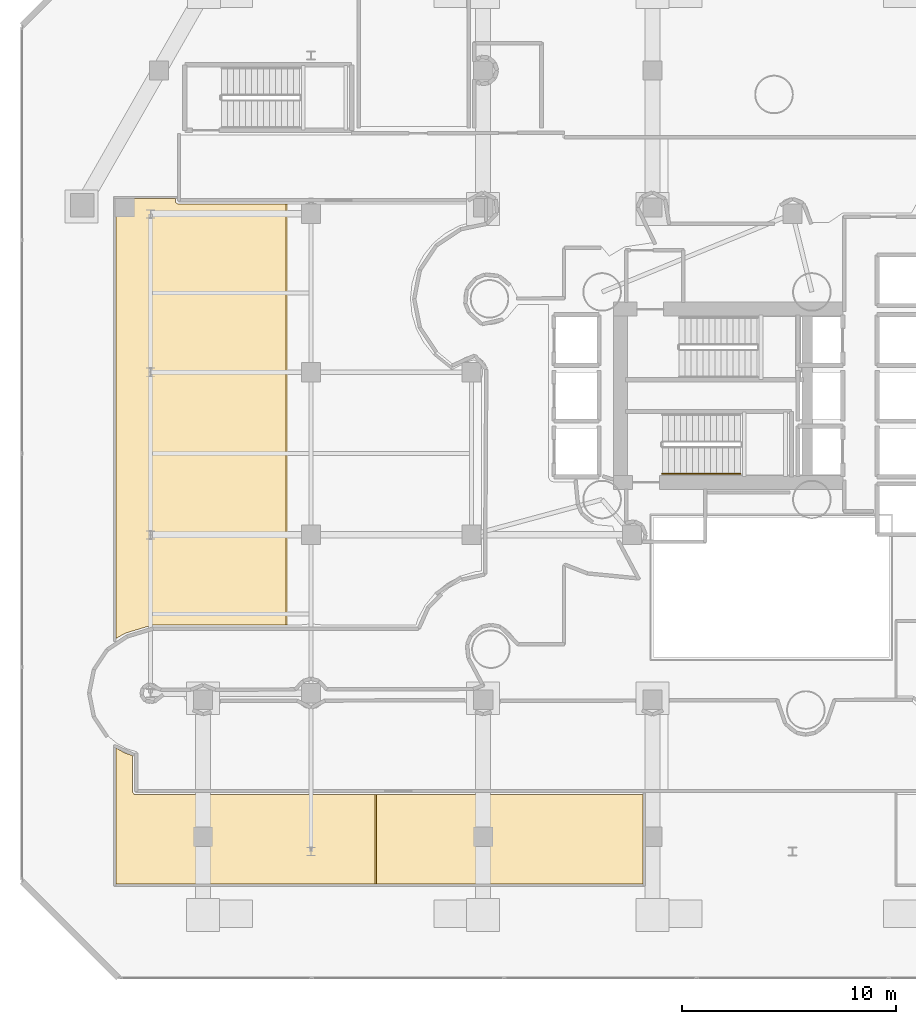
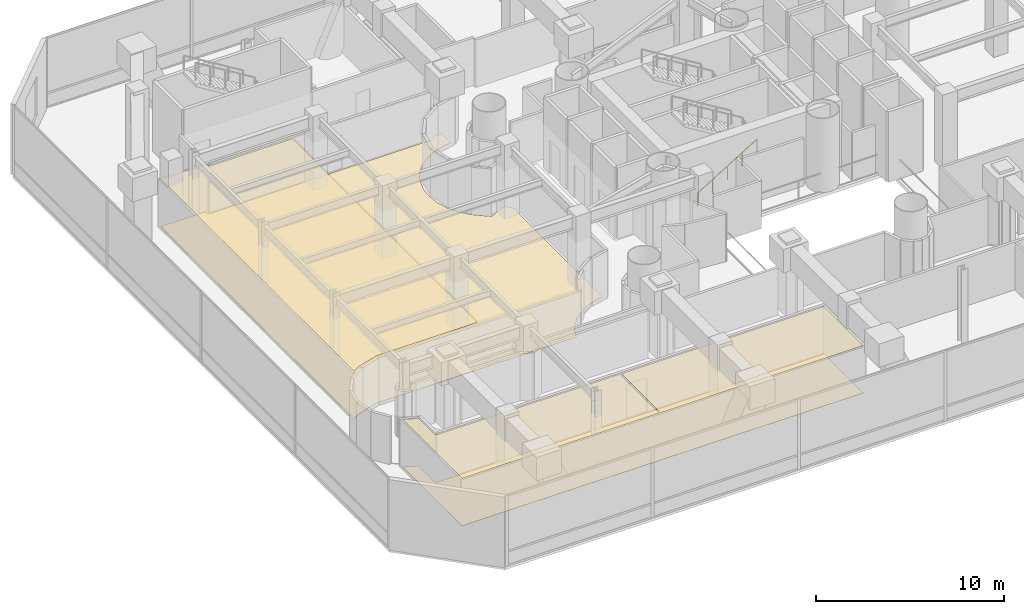
# One storey, part 36 of 45: 5 coverings, 1 railing.
"""IFC4 building model written with IfcOpenShell, lengths in metres."""

from ifc_helpers import new_model, si_unit, direction, frame, origin, origin_2d, place, context, subcontext, project, spatial, polyline, rectangle, outline, extrude, material, layer, layer_set, type_object, element, save


model = new_model("IFC4")

# Units and contexts
model_context = context("Model", 3, precision=1e-05, world=origin(), true_north=direction((0.0, 1.0)))
body_context = subcontext(model_context, "Body", "Model", "MODEL_VIEW")
ifc_project = project(units=[si_unit("LENGTHUNIT", "METRE"), si_unit("AREAUNIT", "SQUARE_METRE"), si_unit("VOLUMEUNIT", "CUBIC_METRE"), si_unit("PLANEANGLEUNIT", "RADIAN"), si_unit("MASSUNIT", "GRAM", prefix="KILO")], contexts=[model_context])

# Site, building, storey
site_placement = place(None, origin())
site = spatial("IfcSite", under=ifc_project, at=site_placement, CompositionType="ELEMENT")
building_placement = place(site_placement, origin())
building = spatial("IfcBuilding", under=site, at=building_placement, Name="Qianvela Tower", CompositionType="ELEMENT")
storey_placement = place(building_placement, frame((0.0, 0.0, 11.0)))
storey = spatial("IfcBuildingStorey", under=building, at=storey_placement, Name="L02", CompositionType="ELEMENT", Elevation=11.0)

# Coverings
ifc_material_1 = material(Name="Perforated Mineral Acoustic Ceiling Tile")
ifc_layer_1 = layer(ifc_material_1, 0.02490234375)
ifc_layer_set_1 = layer_set([ifc_layer_1], Name="Perforated Mineral Acoustic Ceiling Tile")
covering_type_1 = type_object("IfcCoveringType", Name="COV-CEIL-ACOUSTIC-25", PredefinedType="CEILING", material=ifc_layer_set_1)
covering_1_placement = place(storey_placement, frame((0.0, 0.0, 3.074951171875)))
element("IfcCovering", 1, at=covering_1_placement, inside=storey, type_object=covering_type_1, Name="L02 Acoustic Ceiling Bay 1 L02 Co-working Innovation Office South", PredefinedType="CEILING", context=body_context, shape_type="SweptSolid", body=[
    extrude(outline(polyline([(5.8798828125, 5.8798828125), (5.8798828125, 12.244873046875), (6.327392578125, 11.99365234375), (6.335205078125, 11.989990234375), (6.34326171875, 11.98681640625), (6.657958984375, 11.89111328125), (6.657958984375, 10.199951171875), (6.658203125, 10.192626953125), (6.659423828125, 10.185302734375), (6.660888671875, 10.17822265625), (6.663330078125, 10.171142578125), (6.666259765625, 10.16455078125), (6.669921875, 10.157958984375), (6.674072265625, 10.152099609375), (6.6787109375, 10.146240234375), (6.734619140625, 10.084716796875), (6.740478515625, 10.07861328125), (6.7470703125, 10.073486328125), (6.754150390625, 10.06884765625), (6.761474609375, 10.065185546875), (6.769287109375, 10.062255859375), (6.77734375, 10.06005859375), (6.78564453125, 10.05859375), (6.7939453125, 10.058349609375), (17.982666015625, 10.05810546875), (17.982666015625, 5.8798828125), (5.8798828125, 5.8798828125)])), origin(), (0.0, 0.0, 1.0), 0.025146484375),
])
covering_2_placement = place(storey_placement, frame((0.0, 0.0, 3.074951171875)))
element("IfcCovering", 2, at=covering_2_placement, inside=storey, type_object=covering_type_1, Name="L02 Acoustic Ceiling Bay 2 L02 Co-working Innovation Office South", PredefinedType="CEILING", context=body_context, shape_type="SweptSolid", body=[
    extrude(outline(polyline([(18.062744140625, 5.8798828125), (18.062744140625, 10.05810546875), (30.52001953125, 10.05810546875), (30.52001953125, 5.8798828125), (18.062744140625, 5.8798828125)])), origin(), (0.0, 0.0, 1.0), 0.025146484375),
])
covering_3_placement = place(storey_placement, frame((0.0, 0.0, 3.074951171875)))
element("IfcCovering", 3, at=covering_3_placement, inside=storey, type_object=covering_type_1, Name="L02 Acoustic Ceiling Bay 1 L02 Social Study Lounge West", PredefinedType="CEILING", context=body_context, shape_type="SweptSolid", body=[
    extrude(outline(polyline([(7.6123046875, 17.991943359375), (7.6044921875, 17.99169921875), (7.596923828125, 17.990478515625), (7.58935546875, 17.988525390625), (6.343505859375, 17.613037109375), (6.335205078125, 17.610107421875), (6.327392578125, 17.606201171875), (5.8798828125, 17.355224609375), (5.8798828125, 37.919921875), (8.658447265625, 37.919921875), (8.6591796875, 37.78759765625), (8.65966796875, 37.77978515625), (8.660888671875, 37.77197265625), (8.66259765625, 37.764404296875), (8.665283203125, 37.757080078125), (8.668701171875, 37.75), (8.6728515625, 37.743408203125), (8.677490234375, 37.737060546875), (8.6826171875, 37.731201171875), (8.6884765625, 37.72607421875), (8.749267578125, 37.67626953125), (8.755615234375, 37.67138671875), (8.76220703125, 37.66748046875), (8.769287109375, 37.6640625), (8.77685546875, 37.661376953125), (8.784423828125, 37.659423828125), (8.792236328125, 37.658447265625), (8.800048828125, 37.657958984375), (13.82763671875, 37.657958984375), (13.82763671875, 17.991943359375), (7.6123046875, 17.991943359375)])), origin(), (0.0, 0.0, 1.0), 0.025146484375),
])
ifc_material_2 = material(Name="Engineered Acoustic Oak Timber Flooring", Category="wood")
ifc_layer_2 = layer(ifc_material_2, 0.02001953125)
ifc_layer_set_2 = layer_set([ifc_layer_2], Name="Engineered Acoustic Oak Timber Flooring")
covering_type_2 = type_object("IfcCoveringType", Name="COV-FLOOR-OAK-20", PredefinedType="FLOORING", material=ifc_layer_set_2)
covering_4_placement = place(storey_placement, origin())
element("IfcCovering", 4, at=covering_4_placement, inside=storey, type_object=covering_type_2, Name="L02 Finish Flooring L02 Co-working Innovation Office South", PredefinedType="FLOORING", context=body_context, shape_type="SweptSolid", body=[
    extrude(outline(polyline([(30.52001953125, 5.8798828125), (5.8798828125, 5.8798828125), (5.8798828125, 12.244873046875), (6.327392578125, 11.99365234375), (6.335205078125, 11.989990234375), (6.34326171875, 11.98681640625), (6.657958984375, 11.89111328125), (6.657958984375, 10.199951171875), (6.658203125, 10.192626953125), (6.659423828125, 10.185302734375), (6.660888671875, 10.17822265625), (6.663330078125, 10.171142578125), (6.666259765625, 10.16455078125), (6.669921875, 10.157958984375), (6.674072265625, 10.152099609375), (6.6787109375, 10.146240234375), (6.734619140625, 10.084716796875), (6.740478515625, 10.07861328125), (6.7470703125, 10.073486328125), (6.754150390625, 10.06884765625), (6.761474609375, 10.065185546875), (6.769287109375, 10.062255859375), (6.77734375, 10.06005859375), (6.78564453125, 10.05859375), (6.7939453125, 10.058349609375), (30.52001953125, 10.05810546875), (30.52001953125, 5.8798828125)])), origin(), (0.0, 0.0, 1.0), 0.02001953125),
])
covering_5_placement = place(storey_placement, origin())
element("IfcCovering", 5, at=covering_5_placement, inside=storey, type_object=covering_type_2, Name="L02 Finish Flooring L02 Social Study Lounge West", PredefinedType="FLOORING", context=body_context, shape_type="SweptSolid", body=[
    extrude(outline(polyline([(23.1201171875, 36.915283203125), (22.622802734375, 36.849853515625), (22.616455078125, 36.848876953125), (22.610107421875, 36.84716796875), (21.9326171875, 36.6416015625), (21.925048828125, 36.638916015625), (21.91796875, 36.635498046875), (21.293701171875, 36.3017578125), (21.286865234375, 36.2978515625), (21.280517578125, 36.293212890625), (20.733154296875, 35.843994140625), (20.727294921875, 35.838623046875), (20.72216796875, 35.832763671875), (20.27294921875, 35.285400390625), (20.268310546875, 35.279296875), (20.26416015625, 35.2724609375), (19.930419921875, 34.64794921875), (19.927001953125, 34.640869140625), (19.92431640625, 34.633544921875), (19.71875, 33.955810546875), (19.716796875, 33.9482421875), (19.7158203125, 33.9404296875), (19.646484375, 33.23583984375), (19.64599609375, 33.22802734375), (19.646484375, 33.22021484375), (19.7158203125, 32.515380859375), (19.716796875, 32.5078125), (19.71875, 32.5), (19.92431640625, 31.822509765625), (19.927001953125, 31.815185546875), (19.930419921875, 31.80810546875), (20.26416015625, 31.18359375), (20.268310546875, 31.1767578125), (20.27294921875, 31.17041015625), (20.72216796875, 30.623291015625), (20.7275390625, 30.6171875), (20.73388671875, 30.611572265625), (21.55029296875, 29.95458984375), (21.556640625, 29.949951171875), (21.563232421875, 29.946044921875), (21.5703125, 29.94287109375), (21.577392578125, 29.940185546875), (21.5849609375, 29.9384765625), (21.592529296875, 29.937255859375), (21.600341796875, 29.936767578125), (21.60791015625, 29.937255859375), (21.615478515625, 29.938232421875), (21.623046875, 29.940185546875), (21.63037109375, 29.942626953125), (21.63720703125, 29.94580078125), (22.297607421875, 30.287109375), (22.6162109375, 30.383544921875), (22.872802734375, 30.1728515625), (22.93408203125, 30.098388671875), (23.01513671875, 29.902587890625), (23.01513671875, 29.689697265625), (22.961181640625, 29.503173828125), (22.95947265625, 29.495849609375), (22.95849609375, 29.488525390625), (22.9580078125, 29.48095703125), (22.9580078125, 22.51904296875), (22.95849609375, 22.510498046875), (22.959716796875, 22.502197265625), (23.024658203125, 22.199951171875), (22.959716796875, 21.897705078125), (22.95849609375, 21.889404296875), (22.9580078125, 21.881103515625), (22.9580078125, 20.5087890625), (22.69140625, 20.482177734375), (22.68359375, 20.481201171875), (22.676025390625, 20.479248046875), (21.99853515625, 20.273681640625), (21.9912109375, 20.27099609375), (21.98388671875, 20.267578125), (21.359619140625, 19.933837890625), (21.352783203125, 19.9296875), (21.3466796875, 19.925048828125), (20.8037109375, 19.47998046875), (20.7978515625, 19.474609375), (20.79248046875, 19.468994140625), (20.335693359375, 18.912353515625), (20.3310546875, 18.906005859375), (20.326904296875, 18.899169921875), (19.996337890625, 18.27978515625), (19.992919921875, 18.27294921875), (19.990478515625, 18.265380859375), (19.9072265625, 17.991943359375), (15.5146484375, 17.991943359375), (15.0078125, 18.04150390625), (15.0, 18.0419921875), (14.9921875, 18.04150390625), (14.4853515625, 17.991943359375), (7.6123046875, 17.991943359375), (7.6044921875, 17.99169921875), (7.596923828125, 17.990478515625), (7.58935546875, 17.988525390625), (6.343505859375, 17.613037109375), (6.335205078125, 17.610107421875), (6.327392578125, 17.606201171875), (5.8798828125, 17.355224609375), (5.8798828125, 37.919921875), (8.658447265625, 37.919921875), (8.6591796875, 37.78759765625), (8.65966796875, 37.77978515625), (8.660888671875, 37.77197265625), (8.66259765625, 37.764404296875), (8.665283203125, 37.757080078125), (8.668701171875, 37.75), (8.6728515625, 37.743408203125), (8.677490234375, 37.737060546875), (8.6826171875, 37.731201171875), (8.6884765625, 37.72607421875), (8.749267578125, 37.67626953125), (8.755615234375, 37.67138671875), (8.76220703125, 37.66748046875), (8.769287109375, 37.6640625), (8.77685546875, 37.661376953125), (8.784423828125, 37.659423828125), (8.792236328125, 37.658447265625), (8.800048828125, 37.657958984375), (14.680908203125, 37.657958984375), (14.689453125, 37.658447265625), (14.69775390625, 37.659912109375), (15.0, 37.724609375), (15.30224609375, 37.659912109375), (15.310546875, 37.658447265625), (15.319091796875, 37.657958984375), (22.359130859375, 37.657958984375), (22.36669921875, 37.658203125), (22.3740234375, 37.659423828125), (22.38134765625, 37.6611328125), (22.38818359375, 37.66357421875), (22.395263671875, 37.66650390625), (22.401611328125, 37.67041015625), (22.40771484375, 37.674560546875), (22.727783203125, 37.919921875), (23.1201171875, 37.919921875), (23.1201171875, 36.915283203125)])), origin(), (0.0, 0.0, 1.0), 0.02001953125),
])

# Railing
ifc_material_3 = material(Name="Brushed Stainless Steel 304", Category="steel")
railing_type = type_object("IfcRailingType", Name="RL-STAIR-HANDRAIL-900", PredefinedType="HANDRAIL", material=ifc_material_3)
railing_placement = place(storey_placement, frame((31.419921875, 25.050048828125, 0.17138671875)))
element("IfcRailing", 6, at=railing_placement, inside=storey, type_object=railing_type, Name="L02 ST-2 stair handrail 1", PredefinedType="HANDRAIL", context=body_context, shape_type="SweptSolid", body=[
    extrude(rectangle(XDim=0.050048828125, YDim=0.0400390625, at=origin_2d()), frame((0.0, 0.0, 0.8798828125), z_axis=(0.852865859571, 0.0, 0.52213008492), x_axis=(0.0, 1.0, 0.0)), (0.0, 0.0, 1.0), 4.26806640625),
    extrude(rectangle(XDim=0.050048828125, YDim=0.050048828125, at=origin_2d()), origin(), (0.0, 0.0, 1.0), 0.85986328125),
    extrude(rectangle(XDim=0.050048828125, YDim=0.050048828125, at=origin_2d()), frame((0.91015625, 0.0, 0.55712890625)), (0.0, 0.0, 1.0), 0.85986328125),
    extrude(rectangle(XDim=0.050048828125, YDim=0.050048828125, at=origin_2d()), frame((1.820068359375, 0.0, 1.1142578125)), (0.0, 0.0, 1.0), 0.85986328125),
    extrude(rectangle(XDim=0.050048828125, YDim=0.050048828125, at=origin_2d()), frame((2.72998046875, 0.0, 1.67138671875)), (0.0, 0.0, 1.0), 0.85986328125),
    extrude(rectangle(XDim=0.050048828125, YDim=0.050048828125, at=origin_2d()), frame((3.64013671875, 0.0, 2.228515625)), (0.0, 0.0, 1.0), 0.85986328125),
])

save(model, "model.ifc")
